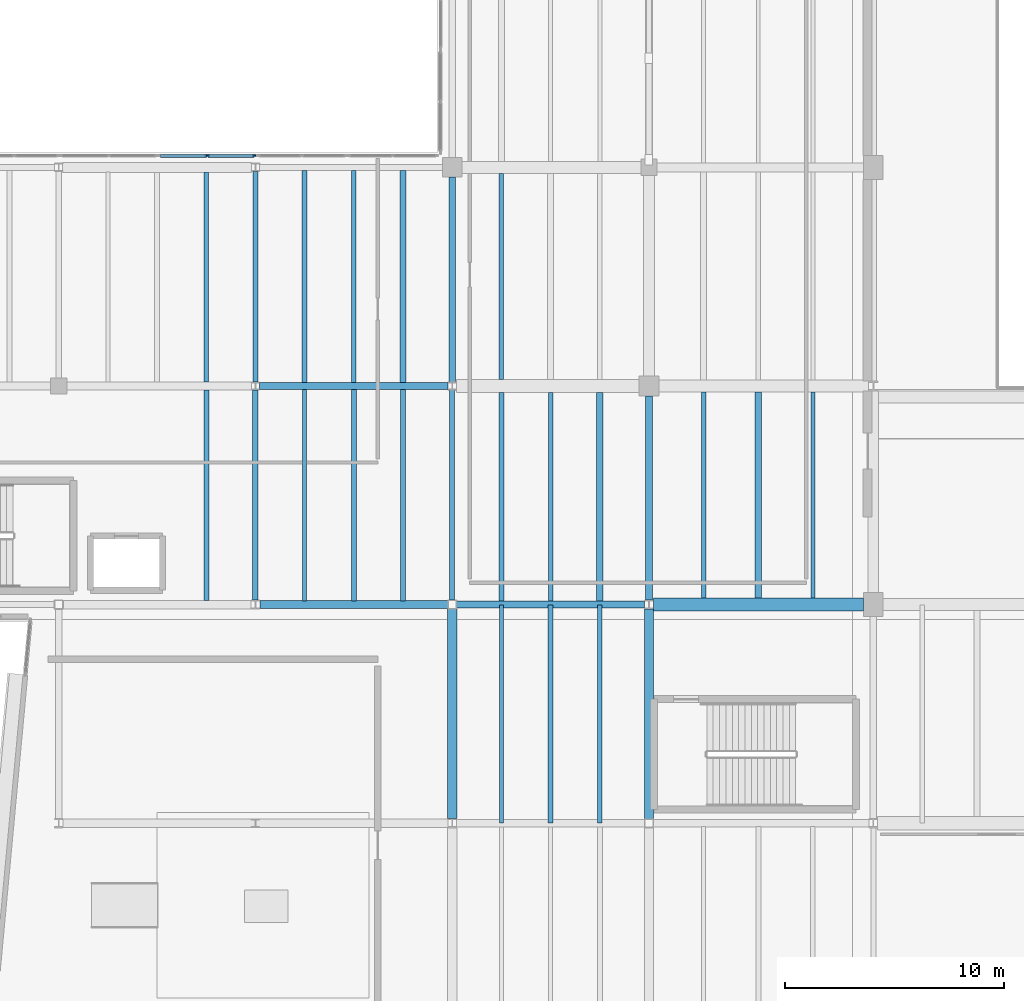
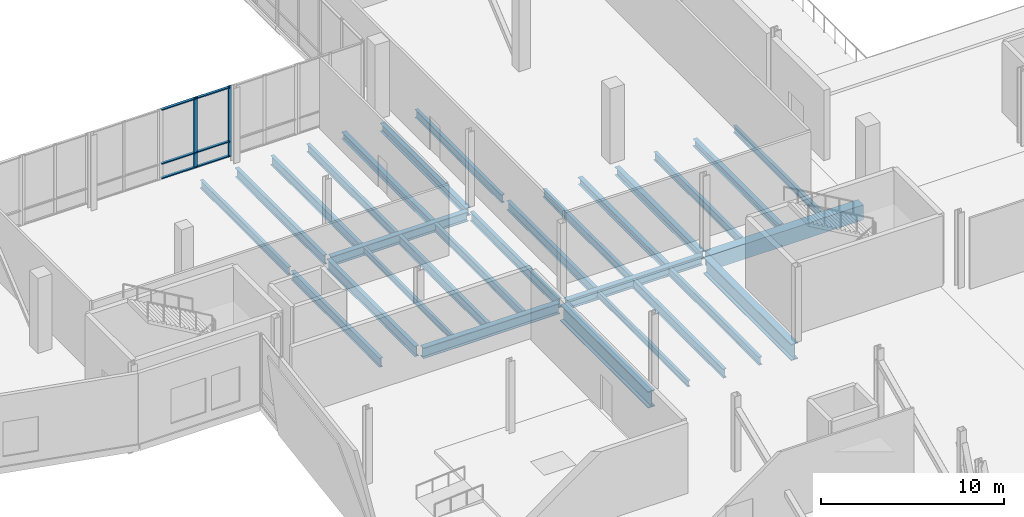
# One storey, part 20 of 73: 29 beams, 8 members, 1 element without a shape of its own.
"""IFC4 building model written with IfcOpenShell, lengths in metres."""

from ifc_helpers import new_model, si_unit, direction, frame, origin, origin_2d, place, context, subcontext, project, spatial, rectangle, i_section, extrude, material, material_profile, profile_set, type_object, element, aggregate, save


model = new_model("IFC4")

# Units and contexts
model_context = context("Model", 3, precision=1e-05, world=origin(), true_north=direction((0.0, 1.0)))
body_context = subcontext(model_context, "Body", "Model", "MODEL_VIEW")
ifc_project = project(units=[si_unit("LENGTHUNIT", "METRE"), si_unit("AREAUNIT", "SQUARE_METRE"), si_unit("VOLUMEUNIT", "CUBIC_METRE"), si_unit("PLANEANGLEUNIT", "RADIAN"), si_unit("MASSUNIT", "GRAM", prefix="KILO")], contexts=[model_context])

# Site, building, storey
site_placement = place(None, origin())
site = spatial("IfcSite", under=ifc_project, at=site_placement, CompositionType="ELEMENT")
building_placement = place(site_placement, origin())
building = spatial("IfcBuilding", under=site, at=building_placement, Name="Trimount Lyric Opera House", CompositionType="ELEMENT")
storey_placement = place(building_placement, frame((0.0, 0.0, 10.0)))
storey = spatial("IfcBuildingStorey", under=building, at=storey_placement, Name="L02", CompositionType="ELEMENT", Elevation=10.0)

# Beams
ifc_material_1 = material(Name="Steel ASTM A992 Grade 50", Category="steel")
ifc_material_profile_1 = material_profile(ifc_material_1, i_section(OverallWidth=0.35595703125, OverallDepth=0.700927734375, WebThickness=0.016845703125, FlangeThickness=0.02734375, FilletRadius=0.01806640625, at=origin_2d()), Name="W27X161")
ifc_profile_set_1 = profile_set([ifc_material_profile_1], Name="Steel ASTM A992 Grade 50")
beam_type_1 = type_object("IfcBeamType", Name="B-08", PredefinedType="BEAM", material=ifc_profile_set_1)
beam_1_placement = place(storey_placement, frame((36.202880859375, 54.0, -0.630615234375), z_axis=(1.0, 0.0, 0.0), x_axis=(0.0, 1.0, 0.0)))
element("IfcBeam", 1, at=beam_1_placement, inside=storey, type_object=beam_type_1, Name="L02 girder X-0737", PredefinedType="BEAM", context=body_context, shape_type="SweptSolid", body=[
    extrude(i_section(OverallWidth=0.35595703125, OverallDepth=0.700927734375, WebThickness=0.016845703125, FlangeThickness=0.02734375, FilletRadius=0.01806640625, at=origin_2d()), origin(), (0.0, 0.0, 1.0), 8.593994140625),
])
ifc_material_2 = material(Name="Steel ASTM A992 Grade 50", Category="steel")
ifc_material_profile_2 = material_profile(ifc_material_2, i_section(OverallWidth=0.25390625, OverallDepth=0.68798828125, WebThickness=0.01318359375, FlangeThickness=0.02099609375, FilletRadius=0.01611328125, at=origin_2d()), Name="W27X102")
ifc_profile_set_2 = profile_set([ifc_material_profile_2], Name="Steel ASTM A992 Grade 50")
beam_type_2 = type_object("IfcBeamType", Name="B-09", PredefinedType="BEAM", material=ifc_profile_set_2)
beam_2_placement = place(storey_placement, frame((36.0, 54.20849609375, -0.6240234375), z_axis=(0.0, 1.0, 0.0), x_axis=(-1.0, 0.0, 0.0)))
element("IfcBeam", 2, at=beam_2_placement, inside=storey, type_object=beam_type_2, Name="L02 girder Y-0849", PredefinedType="BEAM", context=body_context, shape_type="SweptSolid", body=[
    extrude(i_section(OverallWidth=0.25390625, OverallDepth=0.68798828125, WebThickness=0.01318359375, FlangeThickness=0.02099609375, FilletRadius=0.01611328125, at=origin_2d()), origin(), (0.0, 0.0, 1.0), 9.613525390625),
])
ifc_material_3 = material(Name="Steel ASTM A992 Grade 50", Category="steel")
ifc_material_profile_3 = material_profile(ifc_material_3, i_section(OverallWidth=0.327880859375, OverallDepth=0.626953125, WebThickness=0.0166015625, FlangeThickness=0.027587890625, FilletRadius=0.01611328125, at=origin_2d()), Name="W24X146")
ifc_profile_set_3 = profile_set([ifc_material_profile_3], Name="Steel ASTM A992 Grade 50")
beam_type_3 = type_object("IfcBeamType", Name="B-10", PredefinedType="BEAM", material=ifc_profile_set_3)
beam_3_placement = place(storey_placement, frame((45.203125, 54.0, -0.593505859375), z_axis=(1.0, 0.0, 0.0), x_axis=(0.0, 1.0, 0.0)))
element("IfcBeam", 3, at=beam_3_placement, inside=storey, type_object=beam_type_3, Name="L02 girder X-0738", PredefinedType="BEAM", context=body_context, shape_type="SweptSolid", body=[
    extrude(i_section(OverallWidth=0.327880859375, OverallDepth=0.626953125, WebThickness=0.0166015625, FlangeThickness=0.027587890625, FilletRadius=0.01611328125, at=origin_2d()), origin(), (0.0, 0.0, 1.0), 8.593994140625),
])
beam_4_placement = place(storey_placement, frame((36.18408203125, 64.0, -0.593505859375), z_axis=(1.0, 0.0, 0.0), x_axis=(0.0, 1.0, 0.0)))
element("IfcBeam", 4, at=beam_4_placement, inside=storey, type_object=beam_type_3, Name="L02 girder X-0753", PredefinedType="BEAM", context=body_context, shape_type="SweptSolid", body=[
    extrude(i_section(OverallWidth=0.327880859375, OverallDepth=0.626953125, WebThickness=0.0166015625, FlangeThickness=0.027587890625, FilletRadius=0.01611328125, at=origin_2d()), origin(), (0.0, 0.0, 1.0), 8.62939453125),
])
ifc_material_4 = material(Name="Steel ASTM A992 Grade 50", Category="steel")
ifc_material_profile_4 = material_profile(ifc_material_4, i_section(OverallWidth=0.22998046875, OverallDepth=0.616943359375, WebThickness=0.01318359375, FlangeThickness=0.022216796875, FilletRadius=0.013916015625, at=origin_2d()), Name="W24X94")
ifc_profile_set_4 = profile_set([ifc_material_profile_4], Name="Steel ASTM A992 Grade 50")
beam_type_4 = type_object("IfcBeamType", Name="B-11", PredefinedType="BEAM", material=ifc_profile_set_4)
beam_5_placement = place(storey_placement, frame((36.0, 64.177978515625, -0.58837890625), z_axis=(0.0, 1.0, 0.0), x_axis=(-1.0, 0.0, 0.0)))
element("IfcBeam", 5, at=beam_5_placement, inside=storey, type_object=beam_type_4, Name="L02 girder Y-0850", PredefinedType="BEAM", context=body_context, shape_type="SweptSolid", body=[
    extrude(i_section(OverallWidth=0.22998046875, OverallDepth=0.616943359375, WebThickness=0.01318359375, FlangeThickness=0.022216796875, FilletRadius=0.013916015625, at=origin_2d()), origin(), (0.0, 0.0, 1.0), 9.637939453125),
])
beam_6_placement = place(storey_placement, frame((45.0, 54.203125, -0.58837890625), z_axis=(0.0, 1.0, 0.0), x_axis=(-1.0, 0.0, 0.0)))
element("IfcBeam", 6, at=beam_6_placement, inside=storey, type_object=beam_type_4, Name="L02 girder Y-0856", PredefinedType="BEAM", context=body_context, shape_type="SweptSolid", body=[
    extrude(i_section(OverallWidth=0.22998046875, OverallDepth=0.616943359375, WebThickness=0.01318359375, FlangeThickness=0.022216796875, FilletRadius=0.013916015625, at=origin_2d()), origin(), (0.0, 0.0, 1.0), 9.61279296875),
])
ifc_material_5 = material(Name="Steel ASTM A992 Grade 50", Category="steel")
ifc_material_profile_5 = material_profile(ifc_material_5, i_section(OverallWidth=0.31201171875, OverallDepth=0.5458984375, WebThickness=0.013916015625, FlangeThickness=0.022216796875, FilletRadius=0.014892578125, at=origin_2d()), Name="W21X111")
ifc_profile_set_5 = profile_set([ifc_material_profile_5], Name="Steel ASTM A992 Grade 50")
beam_type_5 = type_object("IfcBeamType", Name="B-12", PredefinedType="BEAM", material=ifc_profile_set_5)
beam_7_placement = place(storey_placement, frame((45.0, 64.18408203125, -0.552978515625), z_axis=(0.0, 1.0, 0.0), x_axis=(-1.0, 0.0, 0.0)))
element("IfcBeam", 7, at=beam_7_placement, inside=storey, type_object=beam_type_5, Name="L02 girder Y-0857", PredefinedType="BEAM", context=body_context, shape_type="SweptSolid", body=[
    extrude(i_section(OverallWidth=0.31201171875, OverallDepth=0.5458984375, WebThickness=0.013916015625, FlangeThickness=0.022216796875, FilletRadius=0.014892578125, at=origin_2d()), origin(), (0.0, 0.0, 1.0), 9.365966796875),
])
beam_8_placement = place(storey_placement, frame((54.0, 54.20849609375, -0.552978515625), z_axis=(0.0, 1.0, 0.0), x_axis=(-1.0, 0.0, 0.0)))
element("IfcBeam", 8, at=beam_8_placement, inside=storey, type_object=beam_type_5, Name="L02 girder Y-0866", PredefinedType="BEAM", context=body_context, shape_type="SweptSolid", body=[
    extrude(i_section(OverallWidth=0.31201171875, OverallDepth=0.5458984375, WebThickness=0.013916015625, FlangeThickness=0.022216796875, FilletRadius=0.014892578125, at=origin_2d()), origin(), (0.0, 0.0, 1.0), 9.341552734375),
])
ifc_material_6 = material(Name="Concrete C40/50", Category="concrete")
ifc_material_profile_6 = material_profile(ifc_material_6, rectangle(XDim=0.60009765625, YDim=1.0, at=origin_2d()), Name="RC600X1000")
ifc_profile_set_6 = profile_set([ifc_material_profile_6], Name="Concrete C40/50")
beam_type_6 = type_object("IfcBeamType", Name="B-13", PredefinedType="BEAM", material=ifc_profile_set_6)
beam_9_placement = place(storey_placement, frame((54.202880859375, 54.0, -0.824951171875), z_axis=(1.0, 0.0, 0.0), x_axis=(0.0, 1.0, 0.0)))
element("IfcBeam", 9, at=beam_9_placement, inside=storey, type_object=beam_type_6, Name="L02 girder X-0739", PredefinedType="BEAM", context=body_context, shape_type="SweptSolid", body=[
    extrude(rectangle(XDim=0.60009765625, YDim=1.0, at=origin_2d()), origin(), (0.0, 0.0, 1.0), 9.607177734375),
])
ifc_material_7 = material(Name="Steel ASTM A992 Grade 50", Category="steel")
ifc_material_profile_7 = material_profile(ifc_material_7, i_section(OverallWidth=0.22802734375, OverallDepth=0.60205078125, WebThickness=0.010498046875, FlangeThickness=0.014892578125, FilletRadius=0.012939453125, at=origin_2d()), Name="W24X68")
ifc_profile_set_7 = profile_set([ifc_material_profile_7], Name="Steel ASTM A992 Grade 50")
beam_type_7 = type_object("IfcBeamType", Name="J-01", PredefinedType="BEAM", material=ifc_profile_set_7)
beam_10_placement = place(storey_placement, frame((33.75, 54.18701171875, -0.5810546875), z_axis=(0.0, 1.0, 0.0), x_axis=(-1.0, 0.0, 0.0)))
element("IfcBeam", 10, at=beam_10_placement, inside=storey, type_object=beam_type_7, Name="L02 composite floor joist 0824", PredefinedType="BEAM", context=body_context, shape_type="SweptSolid", body=[
    extrude(i_section(OverallWidth=0.22802734375, OverallDepth=0.60205078125, WebThickness=0.010498046875, FlangeThickness=0.014892578125, FilletRadius=0.012939453125, at=origin_2d()), origin(), (0.0, 0.0, 1.0), 9.638916015625),
])
beam_11_placement = place(storey_placement, frame((40.5, 54.174072265625, -0.5810546875), z_axis=(0.0, 1.0, 0.0), x_axis=(-1.0, 0.0, 0.0)))
element("IfcBeam", 11, at=beam_11_placement, inside=storey, type_object=beam_type_7, Name="L02 composite floor joist 0835", PredefinedType="BEAM", context=body_context, shape_type="SweptSolid", body=[
    extrude(i_section(OverallWidth=0.22802734375, OverallDepth=0.60205078125, WebThickness=0.010498046875, FlangeThickness=0.014892578125, FilletRadius=0.012939453125, at=origin_2d()), origin(), (0.0, 0.0, 1.0), 9.666015625),
])
beam_12_placement = place(storey_placement, frame((38.25, 64.159912109375, -0.5810546875), z_axis=(0.0, 1.0, 0.0), x_axis=(-1.0, 0.0, 0.0)))
element("IfcBeam", 12, at=beam_12_placement, inside=storey, type_object=beam_type_7, Name="L02 composite floor joist 0837", PredefinedType="BEAM", context=body_context, shape_type="SweptSolid", body=[
    extrude(i_section(OverallWidth=0.22802734375, OverallDepth=0.60205078125, WebThickness=0.010498046875, FlangeThickness=0.014892578125, FilletRadius=0.012939453125, at=origin_2d()), origin(), (0.0, 0.0, 1.0), 9.703125),
])
beam_13_placement = place(storey_placement, frame((49.5, 44.011962890625, -0.65087890625), z_axis=(0.0, 1.0, 0.0), x_axis=(-1.0, 0.0, 0.0)))
element("IfcBeam", 13, at=beam_13_placement, inside=storey, type_object=beam_type_7, Name="L02 composite floor joist 0852", PredefinedType="BEAM", context=body_context, shape_type="SweptSolid", body=[
    extrude(i_section(OverallWidth=0.22802734375, OverallDepth=0.60205078125, WebThickness=0.010498046875, FlangeThickness=0.014892578125, FilletRadius=0.012939453125, at=origin_2d()), origin(), (0.0, 0.0, 1.0), 9.97607421875),
])
beam_14_placement = place(storey_placement, frame((47.25, 54.159912109375, -0.5810546875), z_axis=(0.0, 1.0, 0.0), x_axis=(-1.0, 0.0, 0.0)))
element("IfcBeam", 14, at=beam_14_placement, inside=storey, type_object=beam_type_7, Name="L02 composite floor joist 0854", PredefinedType="BEAM", context=body_context, shape_type="SweptSolid", body=[
    extrude(i_section(OverallWidth=0.22802734375, OverallDepth=0.60205078125, WebThickness=0.010498046875, FlangeThickness=0.014892578125, FilletRadius=0.012939453125, at=origin_2d()), origin(), (0.0, 0.0, 1.0), 9.544189453125),
])
ifc_material_8 = material(Name="Steel ASTM A992 Grade 50", Category="steel")
ifc_material_profile_8 = material_profile(ifc_material_8, i_section(OverallWidth=0.2099609375, OverallDepth=0.532958984375, WebThickness=0.01025390625, FlangeThickness=0.015625, FilletRadius=0.012939453125, at=origin_2d()), Name="W21X62")
ifc_profile_set_8 = profile_set([ifc_material_profile_8], Name="Steel ASTM A992 Grade 50")
beam_type_8 = type_object("IfcBeamType", Name="J-02", PredefinedType="BEAM", material=ifc_profile_set_8)
beam_15_placement = place(storey_placement, frame((33.75, 64.174072265625, -0.54638671875), z_axis=(0.0, 1.0, 0.0), x_axis=(-1.0, 0.0, 0.0)))
element("IfcBeam", 15, at=beam_15_placement, inside=storey, type_object=beam_type_8, Name="L02 composite floor joist 0827", PredefinedType="BEAM", context=body_context, shape_type="SweptSolid", body=[
    extrude(i_section(OverallWidth=0.2099609375, OverallDepth=0.532958984375, WebThickness=0.01025390625, FlangeThickness=0.015625, FilletRadius=0.012939453125, at=origin_2d()), origin(), (0.0, 0.0, 1.0), 9.60498046875),
])
beam_16_placement = place(storey_placement, frame((42.75, 54.174072265625, -0.54638671875), z_axis=(0.0, 1.0, 0.0), x_axis=(-1.0, 0.0, 0.0)))
element("IfcBeam", 16, at=beam_16_placement, inside=storey, type_object=beam_type_8, Name="L02 composite floor joist 0836", PredefinedType="BEAM", context=body_context, shape_type="SweptSolid", body=[
    extrude(i_section(OverallWidth=0.2099609375, OverallDepth=0.532958984375, WebThickness=0.01025390625, FlangeThickness=0.015625, FilletRadius=0.012939453125, at=origin_2d()), origin(), (0.0, 0.0, 1.0), 9.666015625),
])
beam_17_placement = place(storey_placement, frame((40.5, 64.159912109375, -0.54638671875), z_axis=(0.0, 1.0, 0.0), x_axis=(-1.0, 0.0, 0.0)))
element("IfcBeam", 17, at=beam_17_placement, inside=storey, type_object=beam_type_8, Name="L02 composite floor joist 0838", PredefinedType="BEAM", context=body_context, shape_type="SweptSolid", body=[
    extrude(i_section(OverallWidth=0.2099609375, OverallDepth=0.532958984375, WebThickness=0.01025390625, FlangeThickness=0.015625, FilletRadius=0.012939453125, at=origin_2d()), origin(), (0.0, 0.0, 1.0), 9.703125),
])
beam_18_placement = place(storey_placement, frame((51.75, 44.011962890625, -0.616455078125), z_axis=(0.0, 1.0, 0.0), x_axis=(-1.0, 0.0, 0.0)))
element("IfcBeam", 18, at=beam_18_placement, inside=storey, type_object=beam_type_8, Name="L02 composite floor joist 0853", PredefinedType="BEAM", context=body_context, shape_type="SweptSolid", body=[
    extrude(i_section(OverallWidth=0.2099609375, OverallDepth=0.532958984375, WebThickness=0.01025390625, FlangeThickness=0.015625, FilletRadius=0.012939453125, at=origin_2d()), origin(), (0.0, 0.0, 1.0), 9.97607421875),
])
beam_19_placement = place(storey_placement, frame((49.5, 54.159912109375, -0.54638671875), z_axis=(0.0, 1.0, 0.0), x_axis=(-1.0, 0.0, 0.0)))
element("IfcBeam", 19, at=beam_19_placement, inside=storey, type_object=beam_type_8, Name="L02 composite floor joist 0855", PredefinedType="BEAM", context=body_context, shape_type="SweptSolid", body=[
    extrude(i_section(OverallWidth=0.2099609375, OverallDepth=0.532958984375, WebThickness=0.01025390625, FlangeThickness=0.015625, FilletRadius=0.012939453125, at=origin_2d()), origin(), (0.0, 0.0, 1.0), 9.544189453125),
])
for number, where, z_axis, x_axis, name in (
    (20, (47.25, 64.2958984375, -0.54638671875), (0.0, 1.0, 0.0), (-1.0, 0.0, 0.0), "L02 composite floor joist 0857"),
    (21, (56.5, 54.2958984375, -0.54638671875), (0.0, 1.0, 0.0), (-1.0, 0.0, 0.0), "L02 composite floor joist 0881"),
):
    element("IfcBeam", number, at=place(storey_placement, frame(where, z_axis=z_axis, x_axis=x_axis)), inside=storey, type_object=beam_type_8, Name=name, PredefinedType="BEAM", context=body_context, shape_type="SweptSolid", body=[
        extrude(i_section(OverallWidth=0.2099609375, OverallDepth=0.532958984375, WebThickness=0.01025390625, FlangeThickness=0.015625, FilletRadius=0.012939453125, at=origin_2d()), origin(), (0.0, 0.0, 1.0), 9.43310546875),
    ])
ifc_material_9 = material(Name="Steel ASTM A992 Grade 50", Category="steel")
ifc_material_profile_9 = material_profile(ifc_material_9, i_section(OverallWidth=0.281982421875, OverallDepth=0.467041015625, WebThickness=0.01220703125, FlangeThickness=0.01953125, FilletRadius=0.012939453125, at=origin_2d()), Name="W18X86")
ifc_profile_set_9 = profile_set([ifc_material_profile_9], Name="Steel ASTM A992 Grade 50")
beam_type_9 = type_object("IfcBeamType", Name="J-03", PredefinedType="BEAM", material=ifc_profile_set_9)
beam_20_placement = place(storey_placement, frame((42.75, 64.159912109375, -0.513427734375), z_axis=(0.0, 1.0, 0.0), x_axis=(-1.0, 0.0, 0.0)))
element("IfcBeam", 22, at=beam_20_placement, inside=storey, type_object=beam_type_9, Name="L02 composite floor joist 0839", PredefinedType="BEAM", context=body_context, shape_type="SweptSolid", body=[
    extrude(i_section(OverallWidth=0.281982421875, OverallDepth=0.467041015625, WebThickness=0.01220703125, FlangeThickness=0.01953125, FilletRadius=0.012939453125, at=origin_2d()), origin(), (0.0, 0.0, 1.0), 9.703125),
])
beam_21_placement = place(storey_placement, frame((51.75, 54.159912109375, -0.513427734375), z_axis=(0.0, 1.0, 0.0), x_axis=(-1.0, 0.0, 0.0)))
element("IfcBeam", 23, at=beam_21_placement, inside=storey, type_object=beam_type_9, Name="L02 composite floor joist 0856", PredefinedType="BEAM", context=body_context, shape_type="SweptSolid", body=[
    extrude(i_section(OverallWidth=0.281982421875, OverallDepth=0.467041015625, WebThickness=0.01220703125, FlangeThickness=0.01953125, FilletRadius=0.012939453125, at=origin_2d()), origin(), (0.0, 0.0, 1.0), 9.544189453125),
])
beam_22_placement = place(storey_placement, frame((59.0, 54.2958984375, -0.513427734375), z_axis=(0.0, 1.0, 0.0), x_axis=(-1.0, 0.0, 0.0)))
element("IfcBeam", 24, at=beam_22_placement, inside=storey, type_object=beam_type_9, Name="L02 composite floor joist 0882", PredefinedType="BEAM", context=body_context, shape_type="SweptSolid", body=[
    extrude(i_section(OverallWidth=0.281982421875, OverallDepth=0.467041015625, WebThickness=0.01220703125, FlangeThickness=0.01953125, FilletRadius=0.012939453125, at=origin_2d()), origin(), (0.0, 0.0, 1.0), 9.43310546875),
])
ifc_material_10 = material(Name="Steel ASTM A992 Grade 50", Category="steel")
ifc_material_profile_10 = material_profile(ifc_material_10, i_section(OverallWidth=0.19091796875, OverallDepth=0.45703125, WebThickness=0.009033203125, FlangeThickness=0.014404296875, FilletRadius=0.010986328125, at=origin_2d()), Name="W18X50")
ifc_profile_set_10 = profile_set([ifc_material_profile_10], Name="Steel ASTM A992 Grade 50")
beam_type_10 = type_object("IfcBeamType", Name="J-04", PredefinedType="BEAM", material=ifc_profile_set_10)
beam_23_placement = place(storey_placement, frame((61.5, 54.2958984375, -0.508544921875), z_axis=(0.0, 1.0, 0.0), x_axis=(-1.0, 0.0, 0.0)))
element("IfcBeam", 25, at=beam_23_placement, inside=storey, type_object=beam_type_10, Name="L02 composite floor joist 0883", PredefinedType="BEAM", context=body_context, shape_type="SweptSolid", body=[
    extrude(i_section(OverallWidth=0.19091796875, OverallDepth=0.45703125, WebThickness=0.009033203125, FlangeThickness=0.014404296875, FilletRadius=0.010986328125, at=origin_2d()), origin(), (0.0, 0.0, 1.0), 9.43310546875),
])
ifc_material_11 = material(Name="Steel ASTM A992 Grade 50", Category="steel")
ifc_material_profile_11 = material_profile(ifc_material_11, i_section(OverallWidth=0.177978515625, OverallDepth=0.404052734375, WebThickness=0.007568359375, FlangeThickness=0.010986328125, FilletRadius=0.010009765625, at=origin_2d()), Name="W16X36")
ifc_profile_set_11 = profile_set([ifc_material_profile_11], Name="Steel ASTM A992 Grade 50")
beam_type_11 = type_object("IfcBeamType", Name="J-06", PredefinedType="BEAM", material=ifc_profile_set_11)
beam_24_placement = place(storey_placement, frame((38.25, 54.174072265625, -0.48193359375), z_axis=(0.0, 1.0, 0.0), x_axis=(-1.0, 0.0, 0.0)))
element("IfcBeam", 26, at=beam_24_placement, inside=storey, type_object=beam_type_11, Name="L02 composite floor joist 0834", PredefinedType="BEAM", context=body_context, shape_type="SweptSolid", body=[
    extrude(i_section(OverallWidth=0.177978515625, OverallDepth=0.404052734375, WebThickness=0.007568359375, FlangeThickness=0.010986328125, FilletRadius=0.010009765625, at=origin_2d()), origin(), (0.0, 0.0, 1.0), 9.666015625),
])
beam_25_placement = place(storey_placement, frame((47.25, 44.011962890625, -0.552001953125), z_axis=(0.0, 1.0, 0.0), x_axis=(-1.0, 0.0, 0.0)))
element("IfcBeam", 27, at=beam_25_placement, inside=storey, type_object=beam_type_11, Name="L02 composite floor joist 0851", PredefinedType="BEAM", context=body_context, shape_type="SweptSolid", body=[
    extrude(i_section(OverallWidth=0.177978515625, OverallDepth=0.404052734375, WebThickness=0.007568359375, FlangeThickness=0.010986328125, FilletRadius=0.010009765625, at=origin_2d()), origin(), (0.0, 0.0, 1.0), 9.97607421875),
])

# Curtain wall, members
ifc_material_12 = material(Name="Thermally Broken Aluminium and Low-E Glass", Category="aluminium")
curtain_wall_type = type_object("IfcCurtainWallType", Name="CW-03", PredefinedType="NOTDEFINED", material=ifc_material_12)
curtain_wall_placement = place(storey_placement, origin())
curtain_wall = element("IfcCurtainWall", 28, at=curtain_wall_placement, inside=storey, type_object=curtain_wall_type, Name="L02 curtain wall 201", PredefinedType="NOTDEFINED")
ifc_material_13 = material(Name="Anodised Aluminium 6063-T6", Category="aluminium")
ifc_material_profile_12 = material_profile(ifc_material_13, rectangle(XDim=0.070068359375, YDim=0.219970703125, at=origin_2d()), Name="ALU-MULL-70X220")
ifc_profile_set_12 = profile_set([ifc_material_profile_12], Name="Anodised Aluminium 6063-T6")
member_type_1 = type_object("IfcMemberType", Name="ML-01", PredefinedType="MULLION", material=ifc_profile_set_12)
member_1_placement = place(storey_placement, frame((33.794921875, 74.5400390625, 0.0), z_axis=(0.0, 0.0, 1.0), x_axis=(0.0, 1.0, 0.0)))
member_1 = element("IfcMember", 29, at=member_1_placement, type_object=member_type_1, Name="CW-03 mullion 2", PredefinedType="MULLION", context=body_context, shape_type="SweptSolid", body=[
    extrude(rectangle(XDim=0.070068359375, YDim=0.219970703125, at=origin_2d()), origin(), (0.0, 0.0, 1.0), 4.719970703125),
])
member_2_placement = place(storey_placement, frame((35.965087890625, 74.5400390625, 0.0), z_axis=(0.0, 0.0, 1.0), x_axis=(0.0, 1.0, 0.0)))
member_2 = element("IfcMember", 30, at=member_2_placement, type_object=member_type_1, Name="CW-03 mullion 3", PredefinedType="MULLION", context=body_context, shape_type="SweptSolid", body=[
    extrude(rectangle(XDim=0.070068359375, YDim=0.219970703125, at=origin_2d()), origin(), (0.0, 0.0, 1.0), 4.719970703125),
])

# Beams
ifc_material_14 = material(Name="Steel ASTM A992 Grade 50", Category="steel")
ifc_material_profile_13 = material_profile(ifc_material_14, i_section(OverallWidth=0.427001953125, OverallDepth=1.092041015625, WebThickness=0.031005859375, FlangeThickness=0.055908203125, FilletRadius=0.02490234375, at=origin_2d()), Name="W40X397")
ifc_profile_set_13 = profile_set([ifc_material_profile_13], Name="Steel ASTM A992 Grade 50")
beam_type_12 = type_object("IfcBeamType", Name="TG-02", PredefinedType="USERDEFINED", material=ifc_profile_set_13)
for number, where, z_axis, x_axis, name in (
    (31, (45.0, 44.20849609375, -0.89599609375), (0.0, 1.0, 0.0), (-1.0, 0.0, 0.0), "L02 girder Y-0855"),
    (32, (54.0, 44.203125, -0.89599609375), (0.0, 1.0, 0.0), (-1.0, 0.0, 0.0), "L02 girder Y-0865"),
):
    element("IfcBeam", number, at=place(storey_placement, frame(where, z_axis=z_axis, x_axis=x_axis)), inside=storey, type_object=beam_type_12, Name=name, ObjectType="TRANSFER_GIRDER", PredefinedType="USERDEFINED", context=body_context, shape_type="SweptSolid", body=[
        extrude(i_section(OverallWidth=0.427001953125, OverallDepth=1.092041015625, WebThickness=0.031005859375, FlangeThickness=0.055908203125, FilletRadius=0.02490234375, at=origin_2d()), origin(), (0.0, 0.0, 1.0), 9.58837890625),
    ])

# Member
ifc_material_15 = material(Name="Anodised Aluminium 6063-T6", Category="aluminium")
ifc_material_profile_14 = material_profile(ifc_material_15, rectangle(XDim=0.159912109375, YDim=0.070068359375, at=origin_2d()), Name="ALU-TRAN-70X160")
ifc_profile_set_14 = profile_set([ifc_material_profile_14], Name="Anodised Aluminium 6063-T6")
member_type_2 = type_object("IfcMemberType", Name="TR-01", PredefinedType="USERDEFINED", material=ifc_profile_set_14)
member_3_placement = place(storey_placement, frame((31.659912109375, 74.5400390625, 0.080078125), z_axis=(1.0, 0.0, 0.0), x_axis=(0.0, 1.0, 0.0)))
member_3 = element("IfcMember", 33, at=member_3_placement, type_object=member_type_2, Name="CW-03 transom 1.1", ObjectType="TRANSOM", PredefinedType="USERDEFINED", context=body_context, shape_type="SweptSolid", body=[
    extrude(rectangle(XDim=0.159912109375, YDim=0.070068359375, at=origin_2d()), origin(), (0.0, 0.0, 1.0), 2.10009765625),
])

member_4_placement = place(storey_placement, frame((31.659912109375, 74.5400390625, 1.050048828125), z_axis=(1.0, 0.0, 0.0), x_axis=(0.0, 1.0, 0.0)))
member_4 = element("IfcMember", 34, at=member_4_placement, type_object=member_type_2, Name="CW-03 transom 1.2", ObjectType="TRANSOM", PredefinedType="USERDEFINED", context=body_context, shape_type="SweptSolid", body=[
    extrude(rectangle(XDim=0.159912109375, YDim=0.070068359375, at=origin_2d()), origin(), (0.0, 0.0, 1.0), 2.10009765625),
])

member_5_placement = place(storey_placement, frame((31.659912109375, 74.5400390625, 4.639892578125), z_axis=(1.0, 0.0, 0.0), x_axis=(0.0, 1.0, 0.0)))
member_5 = element("IfcMember", 35, at=member_5_placement, type_object=member_type_2, Name="CW-03 transom 1.3", ObjectType="TRANSOM", PredefinedType="USERDEFINED", context=body_context, shape_type="SweptSolid", body=[
    extrude(rectangle(XDim=0.159912109375, YDim=0.070068359375, at=origin_2d()), origin(), (0.0, 0.0, 1.0), 2.10009765625),
])

member_6_placement = place(storey_placement, frame((33.830078125, 74.5400390625, 0.080078125), z_axis=(1.0, 0.0, 0.0), x_axis=(0.0, 1.0, 0.0)))
member_6 = element("IfcMember", 36, at=member_6_placement, type_object=member_type_2, Name="CW-03 transom 2.1", ObjectType="TRANSOM", PredefinedType="USERDEFINED", context=body_context, shape_type="SweptSolid", body=[
    extrude(rectangle(XDim=0.159912109375, YDim=0.070068359375, at=origin_2d()), origin(), (0.0, 0.0, 1.0), 2.099853515625),
])

member_7_placement = place(storey_placement, frame((33.830078125, 74.5400390625, 1.050048828125), z_axis=(1.0, 0.0, 0.0), x_axis=(0.0, 1.0, 0.0)))
member_7 = element("IfcMember", 37, at=member_7_placement, type_object=member_type_2, Name="CW-03 transom 2.2", ObjectType="TRANSOM", PredefinedType="USERDEFINED", context=body_context, shape_type="SweptSolid", body=[
    extrude(rectangle(XDim=0.159912109375, YDim=0.070068359375, at=origin_2d()), origin(), (0.0, 0.0, 1.0), 2.099853515625),
])

member_8_placement = place(storey_placement, frame((33.830078125, 74.5400390625, 4.639892578125), z_axis=(1.0, 0.0, 0.0), x_axis=(0.0, 1.0, 0.0)))
member_8 = element("IfcMember", 38, at=member_8_placement, type_object=member_type_2, Name="CW-03 transom 2.3", ObjectType="TRANSOM", PredefinedType="USERDEFINED", context=body_context, shape_type="SweptSolid", body=[
    extrude(rectangle(XDim=0.159912109375, YDim=0.070068359375, at=origin_2d()), origin(), (0.0, 0.0, 1.0), 2.099853515625),
])

aggregate(curtain_wall, [member_1, member_2, member_3, member_4, member_5, member_6, member_7, member_8])

save(model, "model.ifc")
